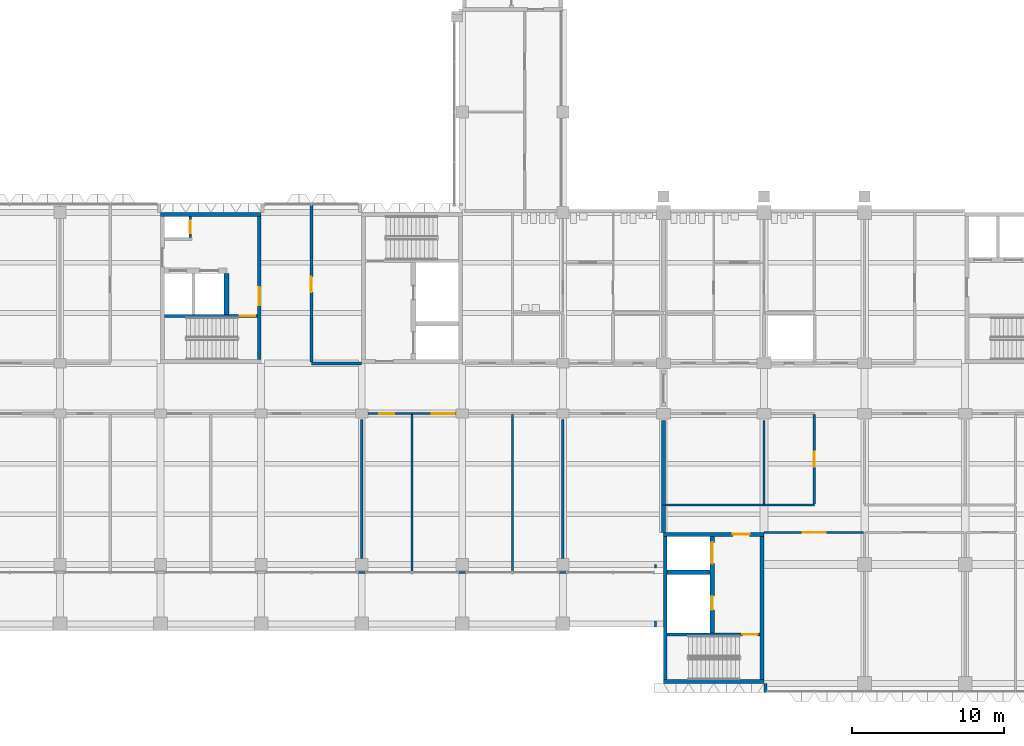
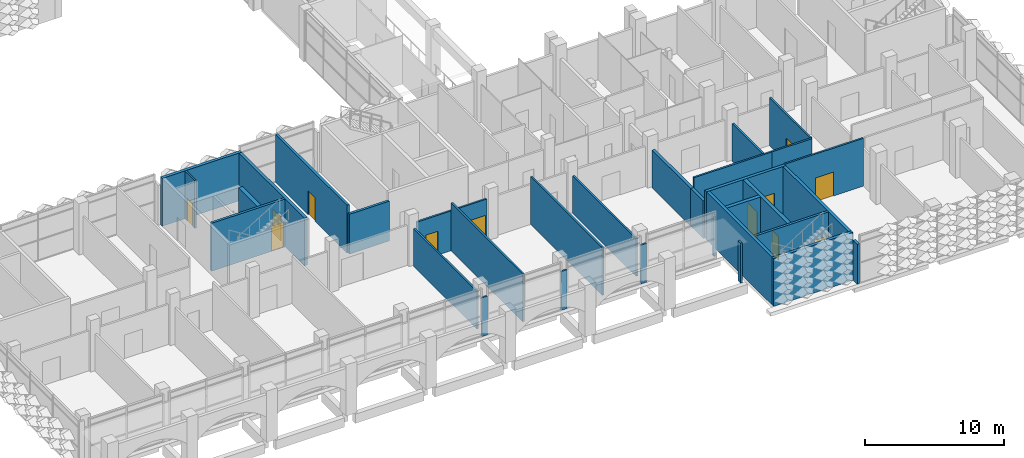
# One storey, part 27 of 87: 33 walls, 12 doors, 12 openings.
"""IFC4 building model written with IfcOpenShell, lengths in metres."""

from ifc_helpers import new_model, si_unit, direction, frame, frame_2d, origin, place, context, subcontext, project, spatial, rectangle, extrude, material, layer, layer_set, type_object, element, fill, save


model = new_model("IFC4")

# Units and contexts
model_context = context("Model", 3, precision=1e-05, world=origin(), true_north=direction((0.0, 1.0)))
body_context = subcontext(model_context, "Body", "Model", "MODEL_VIEW")
ifc_project = project(units=[si_unit("LENGTHUNIT", "METRE"), si_unit("AREAUNIT", "SQUARE_METRE"), si_unit("VOLUMEUNIT", "CUBIC_METRE"), si_unit("PLANEANGLEUNIT", "RADIAN"), si_unit("MASSUNIT", "GRAM", prefix="KILO")], contexts=[model_context])

# Site, building, storey
site_placement = place(None, origin())
site = spatial("IfcSite", under=ifc_project, at=site_placement, CompositionType="ELEMENT")
building_placement = place(site_placement, origin())
building = spatial("IfcBuilding", under=site, at=building_placement, Name="Lantern Court Research Institute", CompositionType="ELEMENT")
storey_placement = place(building_placement, frame((0.0, 0.0, 5.39990234375)))
storey = spatial("IfcBuildingStorey", under=building, at=storey_placement, Name="L01", CompositionType="ELEMENT", Elevation=5.39990234375)

# Wall
ifc_material_1 = material(Name="Fire-rated gypsum board partition, mineral wool filled")
ifc_layer_1 = layer(ifc_material_1, 0.199951171875)
ifc_layer_set_1 = layer_set([ifc_layer_1], Name="Fire-rated gypsum board partition, mineral wool filled")
wall_type_1 = type_object("IfcWallType", Name="Compartment wall 200 EI 120", PredefinedType="PARTITIONING", material=ifc_layer_set_1)
wall_1_placement = place(storey_placement, frame((33.0, 13.199951171875, 0.0), z_axis=(0.0, 0.0, 1.0), x_axis=(-1.0, 0.0, 0.0)))
element("IfcWall", 1, at=wall_1_placement, inside=storey, type_object=wall_type_1, Name="Compartment wall 200 EI 120", PredefinedType="PARTITIONING", context=body_context, shape_type="SweptSolid", body=[
    extrude(rectangle(XDim=3.300048828125, YDim=0.199951171875, at=frame_2d((1.64990234375, 0.0))), origin(), (0.0, 0.0, 1.0), 3.5),
])

# Wall, opening, door
wall_2_placement = place(storey_placement, frame((29.699951171875, 13.300048828125, 0.0), z_axis=(0.0, 0.0, 1.0), x_axis=(0.0, 1.0, 0.0)))
wall_2 = element("IfcWall", 2, at=wall_2_placement, inside=storey, type_object=wall_type_1, Name="Compartment wall 200 EI 120", PredefinedType="PARTITIONING", context=body_context, shape_type="SweptSolid", body=[
    extrude(rectangle(XDim=10.25, YDim=0.199951171875, at=frame_2d((5.125, 0.0))), origin(), (0.0, 0.0, 1.0), 4.2001953125),
])
opening_1_placement = place(wall_2_placement, frame((4.574951171875, 0.0, 0.0)))
opening_1 = element("IfcOpeningElement", 3, at=opening_1_placement, cuts=wall_2, Name="Opening D4104", PredefinedType="OPENING", context=body_context, shape_type="SweptSolid", body=[
    extrude(rectangle(XDim=1.0, YDim=2.10009765625, at=frame_2d((0.5, 1.050048828125))), frame((0.0, 0.10986328125, 0.0), z_axis=(0.0, -1.0, 0.0), x_axis=(1.0, 0.0, 0.0)), (0.0, 0.0, 1.0), 0.219970703125),
])
ifc_material_2 = material(Name="Solid-core timber door leaf", Category="wood")
ifc_layer_2 = layer(ifc_material_2, 0.06005859375)
ifc_layer_set_2 = layer_set([ifc_layer_2], Name="Solid-core timber door leaf")
door_type_1 = type_object("IfcDoorType", Name="Chemical store door 1000 x 2100 single FD60", OperationType="NOTDEFINED", PredefinedType="DOOR", material=ifc_layer_set_2)
door_1_placement = place(opening_1_placement, origin())
door_1 = element("IfcDoor", 4, at=door_1_placement, inside=storey, type_object=door_type_1, Name="Door D4104", OperationType="SINGLE_SWING_LEFT", OverallHeight=2.10009765625, OverallWidth=1.0, PredefinedType="DOOR", context=body_context, shape_type="SweptSolid", body=[
    extrude(rectangle(XDim=1.0, YDim=2.10009765625, at=frame_2d((0.5, 1.050048828125))), frame((0.0, 0.030029296875, 0.0), z_axis=(0.0, -1.0, 0.0), x_axis=(1.0, 0.0, 0.0)), (0.0, 0.0, 1.0), 0.06005859375),
])
fill(opening_1, door_1)

# Walls
ifc_material_3 = material(Name="Aluminium alloy 6063-T6", Category="aluminium")
ifc_layer_3 = layer(ifc_material_3, 0.14990234375)
ifc_layer_set_3 = layer_set([ifc_layer_3], Name="Aluminium alloy 6063-T6")
wall_type_2 = type_object("IfcWallType", Name="Entrance screen wall 150 aluminium", PredefinedType="STANDARD", material=ifc_layer_set_3)
wall_3_placement = place(storey_placement, frame((33.22509765625, -0.52490234375, 0.0), z_axis=(0.0, 0.0, 1.0), x_axis=(-1.0, 0.0, 0.0)))
element("IfcWall", 5, at=wall_3_placement, inside=storey, type_object=wall_type_2, Name="Exterior wall EW102", PredefinedType="STANDARD", context=body_context, shape_type="SweptSolid", body=[
    extrude(rectangle(XDim=0.4501953125, YDim=0.14990234375, at=frame_2d((0.22509765625, 0.0))), origin(), (0.0, 0.0, 1.0), 3.400146484375),
])
for number, where, z_axis, x_axis, name in (
    (6, (39.824951171875, -0.52490234375, 0.0), (0.0, 0.0, 1.0), (-1.0, 0.0, 0.0), "Exterior wall EW103"),
    (7, (46.425048828125, -0.52490234375, 0.0), (0.0, 0.0, 1.0), (-1.0, 0.0, 0.0), "Exterior wall EW104"),
):
    element("IfcWall", number, at=place(storey_placement, frame(where, z_axis=z_axis, x_axis=x_axis)), inside=storey, type_object=wall_type_2, Name=name, PredefinedType="STANDARD", context=body_context, shape_type="SweptSolid", body=[
        extrude(rectangle(XDim=0.449951171875, YDim=0.14990234375, at=frame_2d((0.22509765625, 0.0))), origin(), (0.0, 0.0, 1.0), 3.400146484375),
    ])
wall_4_placement = place(storey_placement, frame((52.27490234375, -4.10009765625, 0.0), z_axis=(0.0, 0.0, 1.0), x_axis=(0.0, 1.0, 0.0)))
element("IfcWall", 8, at=wall_4_placement, inside=storey, type_object=wall_type_2, Name="Exterior wall EW105", PredefinedType="STANDARD", context=body_context, shape_type="SweptSolid", body=[
    extrude(rectangle(XDim=0.400146484375, YDim=0.14990234375, at=frame_2d((0.2001953125, 0.0))), origin(), (0.0, 0.0, 1.0), 3.5),
])
wall_5_placement = place(storey_placement, frame((52.27490234375, -0.22509765625, 0.0), z_axis=(0.0, 0.0, 1.0), x_axis=(0.0, 1.0, 0.0)))
element("IfcWall", 9, at=wall_5_placement, inside=storey, type_object=wall_type_2, Name="Exterior wall EW106", PredefinedType="STANDARD", context=body_context, shape_type="SweptSolid", body=[
    extrude(rectangle(XDim=0.22509765625, YDim=0.14990234375, at=frame_2d((0.112548828125, 0.0))), origin(), (0.0, 0.0, 1.0), 3.5),
])

# Wall, opening, door
ifc_material_4 = material(Name="Fire-rated gypsum board partition, mineral wool filled")
ifc_layer_4 = layer(ifc_material_4, 0.14990234375)
ifc_layer_set_4 = layer_set([ifc_layer_4], Name="Fire-rated gypsum board partition, mineral wool filled")
wall_type_3 = type_object("IfcWallType", Name="Laboratory partition 150 EI 60", PredefinedType="PARTITIONING", material=ifc_layer_set_4)
wall_6_placement = place(storey_placement, frame((33.39990234375, 9.89990234375, 0.0), z_axis=(0.0, 0.0, 1.0), x_axis=(1.0, 0.0, 0.0)))
wall_6 = element("IfcWall", 10, at=wall_6_placement, inside=storey, type_object=wall_type_3, Name="Laboratory partition 150 EI 60", PredefinedType="PARTITIONING", context=body_context, shape_type="SweptSolid", body=[
    extrude(rectangle(XDim=2.900146484375, YDim=0.14990234375, at=frame_2d((1.4501953125, 0.0))), origin(), (0.0, 0.0, 1.0), 3.5),
])
opening_2_placement = place(wall_6_placement, frame((0.75, 0.0, 0.0)))
opening_2 = element("IfcOpeningElement", 11, at=opening_2_placement, cuts=wall_6, Name="Opening D4117", PredefinedType="OPENING", context=body_context, shape_type="SweptSolid", body=[
    extrude(rectangle(XDim=1.0, YDim=2.10009765625, at=frame_2d((0.5, 1.050048828125))), frame((0.0, 0.0849609375, 0.0), z_axis=(0.0, -1.0, 0.0), x_axis=(1.0, 0.0, 0.0)), (0.0, 0.0, 1.0), 0.169921875),
])
ifc_material_5 = material(Name="Solid-core timber door leaf with vision panel", Category="wood")
ifc_layer_5 = layer(ifc_material_5, 0.053955078125)
ifc_layer_set_5 = layer_set([ifc_layer_5], Name="Solid-core timber door leaf with vision panel")
door_type_2 = type_object("IfcDoorType", Name="Laboratory door 1000 x 2100 single FD30S", OperationType="NOTDEFINED", PredefinedType="DOOR", material=ifc_layer_set_5)
door_2_placement = place(opening_2_placement, origin())
door_2 = element("IfcDoor", 12, at=door_2_placement, inside=storey, type_object=door_type_2, Name="Door D4117", OperationType="SINGLE_SWING_LEFT", OverallHeight=2.10009765625, OverallWidth=1.0, PredefinedType="DOOR", context=body_context, shape_type="SweptSolid", body=[
    extrude(rectangle(XDim=1.0, YDim=2.10009765625, at=frame_2d((0.5, 1.050048828125))), frame((0.0, 0.02685546875, 0.0), z_axis=(0.0, -1.0, 0.0), x_axis=(1.0, 0.0, 0.0)), (0.0, 0.0, 1.0), 0.053955078125),
])
fill(opening_2, door_2)

wall_7_placement = place(storey_placement, frame((36.300048828125, 9.89990234375, 0.0), z_axis=(0.0, 0.0, 1.0), x_axis=(1.0, 0.0, 0.0)))
wall_7 = element("IfcWall", 13, at=wall_7_placement, inside=storey, type_object=wall_type_3, Name="Laboratory partition 150 EI 60", PredefinedType="PARTITIONING", context=body_context, shape_type="SweptSolid", body=[
    extrude(rectangle(XDim=2.89990234375, YDim=0.14990234375, at=frame_2d((1.449951171875, 0.0))), origin(), (0.0, 0.0, 1.0), 3.5),
])
opening_3_placement = place(wall_7_placement, frame((1.300048828125, 0.0, 0.0)))
opening_3 = element("IfcOpeningElement", 14, at=opening_3_placement, cuts=wall_7, Name="Opening D4118", PredefinedType="OPENING", context=body_context, shape_type="SweptSolid", body=[
    extrude(rectangle(XDim=1.5, YDim=2.10009765625, at=frame_2d((0.75, 1.050048828125))), frame((0.0, 0.0849609375, 0.0), z_axis=(0.0, -1.0, 0.0), x_axis=(1.0, 0.0, 0.0)), (0.0, 0.0, 1.0), 0.169921875),
])
ifc_material_6 = material(Name="Solid-core timber door leaf with vision panel", Category="wood")
ifc_layer_6 = layer(ifc_material_6, 0.053955078125)
ifc_layer_set_6 = layer_set([ifc_layer_6], Name="Solid-core timber door leaf with vision panel")
door_type_3 = type_object("IfcDoorType", Name="Laboratory double door 1500 x 2100 pair FD30S", OperationType="DOUBLE_DOOR_SINGLE_SWING", PredefinedType="DOOR", material=ifc_layer_set_6)
door_3_placement = place(opening_3_placement, origin())
door_3 = element("IfcDoor", 15, at=door_3_placement, inside=storey, type_object=door_type_3, Name="Door D4118", OperationType="DOUBLE_DOOR_SINGLE_SWING", OverallHeight=2.10009765625, OverallWidth=1.5, PredefinedType="DOOR", context=body_context, shape_type="SweptSolid", body=[
    extrude(rectangle(XDim=1.5, YDim=2.10009765625, at=frame_2d((0.75, 1.050048828125))), frame((0.0, 0.02685546875, 0.0), z_axis=(0.0, -1.0, 0.0), x_axis=(1.0, 0.0, 0.0)), (0.0, 0.0, 1.0), 0.053955078125),
])
fill(opening_3, door_3)

# Walls
wall_8_placement = place(storey_placement, frame((33.0, 0.39990234375, 0.0), z_axis=(0.0, 0.0, 1.0), x_axis=(0.0, 1.0, 0.0)))
element("IfcWall", 16, at=wall_8_placement, inside=storey, type_object=wall_type_3, Name="Laboratory partition 150 EI 60", PredefinedType="PARTITIONING", context=body_context, shape_type="SweptSolid", body=[
    extrude(rectangle(XDim=9.10009765625, YDim=0.14990234375, at=frame_2d((4.550048828125, 0.0))), origin(), (0.0, 0.0, 1.0), 3.300048828125),
])
for number, where, z_axis, x_axis, name in (
    (17, (36.300048828125, -0.449951171875, 0.0), (0.0, 0.0, 1.0), (0.0, 1.0, 0.0), "Laboratory partition 150 EI 60"),
    (18, (42.89990234375, -0.449951171875, 0.0), (0.0, 0.0, 1.0), (0.0, 1.0, 0.0), "Laboratory partition 150 EI 60"),
):
    element("IfcWall", number, at=place(storey_placement, frame(where, z_axis=z_axis, x_axis=x_axis)), inside=storey, type_object=wall_type_3, Name=name, PredefinedType="PARTITIONING", context=body_context, shape_type="SweptSolid", body=[
        extrude(rectangle(XDim=10.27490234375, YDim=0.14990234375, at=frame_2d((5.137451171875, 0.0))), origin(), (0.0, 0.0, 1.0), 4.2001953125),
    ])
wall_9_placement = place(storey_placement, frame((46.199951171875, 0.39990234375, 0.0), z_axis=(0.0, 0.0, 1.0), x_axis=(0.0, 1.0, 0.0)))
element("IfcWall", 19, at=wall_9_placement, inside=storey, type_object=wall_type_3, Name="Laboratory partition 150 EI 60", PredefinedType="PARTITIONING", context=body_context, shape_type="SweptSolid", body=[
    extrude(rectangle(XDim=9.10009765625, YDim=0.14990234375, at=frame_2d((4.550048828125, 0.0))), origin(), (0.0, 0.0, 1.0), 3.300048828125),
])

# Wall, opening, door
wall_10_placement = place(storey_placement, frame((65.925048828125, 2.10009765625, 0.0), z_axis=(0.0, 0.0, 1.0), x_axis=(-1.0, 0.0, 0.0)))
wall_10 = element("IfcWall", 20, at=wall_10_placement, inside=storey, type_object=wall_type_3, Name="Laboratory partition 150 EI 60", PredefinedType="PARTITIONING", context=body_context, shape_type="SweptSolid", body=[
    extrude(rectangle(XDim=6.52490234375, YDim=0.14990234375, at=frame_2d((3.262451171875, 0.0))), origin(), (0.0, 0.0, 1.0), 4.2001953125),
])
opening_4_placement = place(wall_10_placement, frame((2.47509765625, 0.0, 0.0)))
opening_4 = element("IfcOpeningElement", 21, at=opening_4_placement, cuts=wall_10, Name="Opening D5109", PredefinedType="OPENING", context=body_context, shape_type="SweptSolid", body=[
    extrude(rectangle(XDim=1.5, YDim=2.10009765625, at=frame_2d((0.75, 1.050048828125))), frame((0.0, 0.0849609375, 0.0), z_axis=(0.0, -1.0, 0.0), x_axis=(1.0, 0.0, 0.0)), (0.0, 0.0, 1.0), 0.169921875),
])
door_4_placement = place(opening_4_placement, origin())
door_4 = element("IfcDoor", 22, at=door_4_placement, inside=storey, type_object=door_type_3, Name="Door D5109", OperationType="DOUBLE_DOOR_SINGLE_SWING", OverallHeight=2.10009765625, OverallWidth=1.5, PredefinedType="DOOR", context=body_context, shape_type="SweptSolid", body=[
    extrude(rectangle(XDim=1.5, YDim=2.10009765625, at=frame_2d((0.75, 1.050048828125))), frame((0.0, 0.02685546875, 0.0), z_axis=(0.0, -1.0, 0.0), x_axis=(1.0, 0.0, 0.0)), (0.0, 0.0, 1.0), 0.053955078125),
])
fill(opening_4, door_4)

# Walls
wall_11_placement = place(storey_placement, frame((59.39990234375, 3.89990234375, 0.0), z_axis=(0.0, 0.0, 1.0), x_axis=(-1.0, 0.0, 0.0)))
element("IfcWall", 23, at=wall_11_placement, inside=storey, type_object=wall_type_3, Name="Laboratory partition 150 EI 60", PredefinedType="PARTITIONING", context=body_context, shape_type="SweptSolid", body=[
    extrude(rectangle(XDim=6.474853515625, YDim=0.14990234375, at=frame_2d((3.2373046875, 0.0))), origin(), (0.0, 0.0, 1.0), 4.2001953125),
])
wall_12_placement = place(storey_placement, frame((62.699951171875, 3.89990234375, 0.0), z_axis=(0.0, 0.0, 1.0), x_axis=(-1.0, 0.0, 0.0)))
element("IfcWall", 24, at=wall_12_placement, inside=storey, type_object=wall_type_3, Name="Laboratory partition 150 EI 60", PredefinedType="PARTITIONING", context=body_context, shape_type="SweptSolid", body=[
    extrude(rectangle(XDim=3.300048828125, YDim=0.14990234375, at=frame_2d((1.64990234375, 0.0))), origin(), (0.0, 0.0, 1.0), 4.2001953125),
])
wall_13_placement = place(storey_placement, frame((59.39990234375, 3.97509765625, 0.0), z_axis=(0.0, 0.0, 1.0), x_axis=(0.0, 1.0, 0.0)))
element("IfcWall", 25, at=wall_13_placement, inside=storey, type_object=wall_type_3, Name="Laboratory partition 150 EI 60", PredefinedType="PARTITIONING", context=body_context, shape_type="SweptSolid", body=[
    extrude(rectangle(XDim=5.474853515625, YDim=0.14990234375, at=frame_2d((2.7373046875, 0.0))), origin(), (0.0, 0.0, 1.0), 3.300048828125),
])

# Wall, opening, door
wall_14_placement = place(storey_placement, frame((62.699951171875, 9.824951171875, 0.0), z_axis=(0.0, 0.0, 1.0), x_axis=(0.0, -1.0, 0.0)))
wall_14 = element("IfcWall", 26, at=wall_14_placement, inside=storey, type_object=wall_type_3, Name="Laboratory partition 150 EI 60", PredefinedType="PARTITIONING", context=body_context, shape_type="SweptSolid", body=[
    extrude(rectangle(XDim=5.849853515625, YDim=0.14990234375, at=frame_2d((2.9248046875, 0.0))), origin(), (0.0, 0.0, 1.0), 4.2001953125),
])
opening_5_placement = place(wall_14_placement, frame((2.425048828125, 0.0, 0.0)))
opening_5 = element("IfcOpeningElement", 27, at=opening_5_placement, cuts=wall_14, Name="Opening D5113", PredefinedType="OPENING", context=body_context, shape_type="SweptSolid", body=[
    extrude(rectangle(XDim=1.0, YDim=2.10009765625, at=frame_2d((0.5, 1.050048828125))), frame((0.0, 0.0849609375, 0.0), z_axis=(0.0, -1.0, 0.0), x_axis=(1.0, 0.0, 0.0)), (0.0, 0.0, 1.0), 0.169921875),
])
door_5_placement = place(opening_5_placement, origin())
door_5 = element("IfcDoor", 28, at=door_5_placement, inside=storey, type_object=door_type_2, Name="Door D5113", OperationType="SINGLE_SWING_RIGHT", OverallHeight=2.10009765625, OverallWidth=1.0, PredefinedType="DOOR", context=body_context, shape_type="SweptSolid", body=[
    extrude(rectangle(XDim=1.0, YDim=2.10009765625, at=frame_2d((0.5, 1.050048828125))), frame((0.0, 0.02685546875, 0.0), z_axis=(0.0, -1.0, 0.0), x_axis=(1.0, 0.0, 0.0)), (0.0, 0.0, 1.0), 0.053955078125),
])
fill(opening_5, door_5)

# Walls
ifc_material_7 = material(Name="Fire-rated gypsum board partition, double stud, mineral wool filled")
ifc_layer_7 = layer(ifc_material_7, 0.25)
ifc_layer_set_7 = layer_set([ifc_layer_7], Name="Fire-rated gypsum board partition, double stud, mineral wool filled")
wall_type_4 = type_object("IfcWallType", Name="Plant compartment wall 250 EI 120", PredefinedType="PARTITIONING", material=ifc_layer_set_7)
wall_15_placement = place(storey_placement, frame((52.800048828125, 2.10009765625, 0.0), z_axis=(0.0, 0.0, 1.0), x_axis=(0.0, 1.0, 0.0)))
element("IfcWall", 29, at=wall_15_placement, inside=storey, type_object=wall_type_4, Name="Plant compartment wall 250 EI 120", PredefinedType="PARTITIONING", context=body_context, shape_type="SweptSolid", body=[
    extrude(rectangle(XDim=1.7998046875, YDim=0.25, at=frame_2d((0.89990234375, 0.0))), origin(), (0.0, 0.0, 1.0), 3.300048828125),
])
wall_16_placement = place(storey_placement, frame((52.800048828125, 3.89990234375, 0.0), z_axis=(0.0, 0.0, 1.0), x_axis=(0.0, 1.0, 0.0)))
element("IfcWall", 30, at=wall_16_placement, inside=storey, type_object=wall_type_4, Name="Plant compartment wall 250 EI 120", PredefinedType="PARTITIONING", context=body_context, shape_type="SweptSolid", body=[
    extrude(rectangle(XDim=5.550048828125, YDim=0.25, at=frame_2d((2.77490234375, 0.0))), origin(), (0.0, 0.0, 1.0), 3.300048828125),
])

# Wall, opening, door
ifc_material_8 = material(Name="Concrete C40/50", Category="concrete")
ifc_layer_8 = layer(ifc_material_8, 0.25)
ifc_layer_set_8 = layer_set([ifc_layer_8], Name="Concrete C40/50")
wall_type_5 = type_object("IfcWallType", Name="RC core wall 250", PredefinedType="SHEAR", material=ifc_layer_set_8)
wall_17_placement = place(storey_placement, frame((26.27490234375, 13.449951171875, 0.0), z_axis=(0.0, 0.0, 1.0), x_axis=(0.0, 1.0, 0.0)))
wall_17 = element("IfcWall", 31, at=wall_17_placement, inside=storey, type_object=wall_type_5, Name="East wall of core BC-M", PredefinedType="SHEAR", context=body_context, shape_type="SweptSolid", body=[
    extrude(rectangle(XDim=9.400146484375, YDim=0.25, at=frame_2d((4.7001953125, 0.0))), origin(), (0.0, 0.0, 1.0), 4.2001953125),
])
opening_6_placement = place(wall_17_placement, frame((3.550048828125, 0.0, 0.0)))
opening_6 = element("IfcOpeningElement", 32, at=opening_6_placement, cuts=wall_17, Name="Opening D7036", PredefinedType="OPENING", context=body_context, shape_type="SweptSolid", body=[
    extrude(rectangle(XDim=1.199951171875, YDim=2.10009765625, at=frame_2d((0.60009765625, 1.050048828125))), frame((0.0, 0.135009765625, 0.0), z_axis=(0.0, -1.0, 0.0), x_axis=(1.0, 0.0, 0.0)), (0.0, 0.0, 1.0), 0.27001953125),
])
ifc_material_9 = material(Name="Steel fire door leaf with smoke seals", Category="steel")
door_type_4 = type_object("IfcDoorType", Name="Door 1200 x 2100 fire rated FD60S", OperationType="NOTDEFINED", PredefinedType="DOOR", material=ifc_material_9)
door_6_placement = place(opening_6_placement, origin())
door_6 = element("IfcDoor", 33, at=door_6_placement, inside=storey, type_object=door_type_4, Name="Lobby door", OperationType="SINGLE_SWING_RIGHT", OverallHeight=2.10009765625, OverallWidth=1.199951171875, PredefinedType="DOOR", context=body_context, shape_type="SweptSolid", body=[
    extrude(rectangle(XDim=1.199951171875, YDim=2.10009765625, at=frame_2d((0.60009765625, 1.050048828125))), frame((0.0, 0.02490234375, 0.0), z_axis=(0.0, -1.0, 0.0), x_axis=(1.0, 0.0, 0.0)), (0.0, 0.0, 1.0), 0.050048828125),
])
fill(opening_6, door_6)

wall_18_placement = place(storey_placement, frame((59.39990234375, 1.97509765625, 0.0), z_axis=(0.0, 0.0, 1.0), x_axis=(-1.0, 0.0, 0.0)))
wall_18 = element("IfcWall", 34, at=wall_18_placement, inside=storey, type_object=wall_type_5, Name="North wall of core TC-W", PredefinedType="SHEAR", context=body_context, shape_type="SweptSolid", body=[
    extrude(rectangle(XDim=6.599853515625, YDim=0.25, at=frame_2d((3.2998046875, 0.0))), origin(), (0.0, 0.0, 1.0), 4.2001953125),
])
opening_7_placement = place(wall_18_placement, frame((0.949951171875, 0.0, 0.0)))
opening_7 = element("IfcOpeningElement", 35, at=opening_7_placement, cuts=wall_18, Name="Opening D7105", PredefinedType="OPENING", context=body_context, shape_type="SweptSolid", body=[
    extrude(rectangle(XDim=1.10009765625, YDim=2.10009765625, at=frame_2d((0.550048828125, 1.050048828125))), frame((0.0, 0.135009765625, 0.0), z_axis=(0.0, -1.0, 0.0), x_axis=(1.0, 0.0, 0.0)), (0.0, 0.0, 1.0), 0.27001953125),
])
ifc_material_10 = material(Name="Steel fire door leaf with smoke seals", Category="steel")
door_type_5 = type_object("IfcDoorType", Name="Door 1100 x 2100 fire rated FD60S", OperationType="NOTDEFINED", PredefinedType="DOOR", material=ifc_material_10)
door_7_placement = place(opening_7_placement, origin())
door_7 = element("IfcDoor", 36, at=door_7_placement, inside=storey, type_object=door_type_5, Name="Lobby door", OperationType="SINGLE_SWING_RIGHT", OverallHeight=2.10009765625, OverallWidth=1.10009765625, PredefinedType="DOOR", context=body_context, shape_type="SweptSolid", body=[
    extrude(rectangle(XDim=1.10009765625, YDim=2.10009765625, at=frame_2d((0.550048828125, 1.050048828125))), frame((0.0, 0.02490234375, 0.0), z_axis=(0.0, -1.0, 0.0), x_axis=(1.0, 0.0, 0.0)), (0.0, 0.0, 1.0), 0.050048828125),
])
fill(opening_7, door_7)

# Walls
wall_19_placement = place(storey_placement, frame((59.27490234375, 1.85009765625, 0.0), z_axis=(0.0, 0.0, 1.0), x_axis=(0.0, -1.0, 0.0)))
element("IfcWall", 37, at=wall_19_placement, inside=storey, type_object=wall_type_5, Name="East wall of core TC-W", PredefinedType="SHEAR", context=body_context, shape_type="SweptSolid", body=[
    extrude(rectangle(XDim=9.400146484375, YDim=0.25, at=frame_2d((4.7001953125, 0.0))), origin(), (0.0, 0.0, 1.0), 4.2001953125),
])
ifc_material_11 = material(Name="Concrete C40/50", Category="concrete")
ifc_layer_9 = layer(ifc_material_11, 0.25)
ifc_layer_set_9 = layer_set([ifc_layer_9], Name="Concrete C40/50")
wall_type_6 = type_object("IfcWallType", Name="RC core wall 250 facade", PredefinedType="SHEAR", material=ifc_layer_set_9)
for number, where, z_axis, x_axis, name in (
    (38, (19.800048828125, 22.97509765625, 0.0), (0.0, 0.0, 1.0), (1.0, 0.0, 0.0), "North wall of core BC-M"),
    (39, (59.39990234375, -7.675048828125, 0.0), (0.0, 0.0, 1.0), (-1.0, 0.0, 0.0), "South wall of core TC-W"),
):
    element("IfcWall", number, at=place(storey_placement, frame(where, z_axis=z_axis, x_axis=x_axis)), inside=storey, type_object=wall_type_6, Name=name, PredefinedType="SHEAR", context=body_context, shape_type="SweptSolid", body=[
        extrude(rectangle(XDim=6.599853515625, YDim=0.25, at=frame_2d((3.2998046875, 0.0))), origin(), (0.0, 0.0, 1.0), 4.2001953125),
    ])
wall_20_placement = place(storey_placement, frame((52.925048828125, 1.85009765625, 0.0), z_axis=(0.0, 0.0, 1.0), x_axis=(0.0, -1.0, 0.0)))
element("IfcWall", 40, at=wall_20_placement, inside=storey, type_object=wall_type_6, Name="West wall of core TC-W", PredefinedType="SHEAR", context=body_context, shape_type="SweptSolid", body=[
    extrude(rectangle(XDim=9.400146484375, YDim=0.25, at=frame_2d((4.7001953125, 0.0))), origin(), (0.0, 0.0, 1.0), 4.2001953125),
])

# Wall, opening, door
ifc_material_12 = material(Name="Concrete C40/50", Category="concrete")
ifc_layer_10 = layer(ifc_material_12, 0.14990234375)
ifc_layer_set_10 = layer_set([ifc_layer_10], Name="Concrete C40/50")
wall_type_7 = type_object("IfcWallType", Name="RC shaft wall 150", PredefinedType="SHEAR", material=ifc_layer_set_10)
wall_21_placement = place(storey_placement, frame((21.75, 21.449951171875, 0.0), z_axis=(0.0, 0.0, 1.0), x_axis=(0.0, 1.0, 0.0)))
wall_21 = element("IfcWall", 41, at=wall_21_placement, inside=storey, type_object=wall_type_7, Name="Riser wall of core BC-M", PredefinedType="SHEAR", context=body_context, shape_type="SweptSolid", body=[
    extrude(rectangle(XDim=1.400146484375, YDim=0.14990234375, at=frame_2d((0.7001953125, 0.0))), origin(), (0.0, 0.0, 1.0), 4.2001953125),
])
opening_8_placement = place(wall_21_placement, frame((0.300048828125, 0.0, 0.0)))
opening_8 = element("IfcOpeningElement", 42, at=opening_8_placement, cuts=wall_21, Name="Opening D7039", PredefinedType="OPENING", context=body_context, shape_type="SweptSolid", body=[
    extrude(rectangle(XDim=0.800048828125, YDim=2.0, at=frame_2d((0.39990234375, 1.0))), frame((0.0, 0.0849609375, 0.0), z_axis=(0.0, -1.0, 0.0), x_axis=(1.0, 0.0, 0.0)), (0.0, 0.0, 1.0), 0.169921875),
])
ifc_material_13 = material(Name="Steel fire door leaf", Category="steel")
door_type_6 = type_object("IfcDoorType", Name="Door 800 x 2000 fire rated FD60", OperationType="NOTDEFINED", PredefinedType="DOOR", material=ifc_material_13)
door_8_placement = place(opening_8_placement, origin())
door_8 = element("IfcDoor", 43, at=door_8_placement, inside=storey, type_object=door_type_6, Name="Riser door", OperationType="SINGLE_SWING_LEFT", OverallHeight=2.0, OverallWidth=0.800048828125, PredefinedType="DOOR", context=body_context, shape_type="SweptSolid", body=[
    extrude(rectangle(XDim=0.800048828125, YDim=2.0, at=frame_2d((0.39990234375, 1.0))), frame((0.0, 0.02490234375, 0.0), z_axis=(0.0, -1.0, 0.0), x_axis=(1.0, 0.0, 0.0)), (0.0, 0.0, 1.0), 0.050048828125),
])
fill(opening_8, door_8)

ifc_material_14 = material(Name="Concrete C40/50", Category="concrete")
ifc_layer_11 = layer(ifc_material_14, 0.199951171875)
ifc_layer_set_11 = layer_set([ifc_layer_11], Name="Concrete C40/50")
wall_type_8 = type_object("IfcWallType", Name="RC shaft wall 200", PredefinedType="SHEAR", material=ifc_layer_set_11)
wall_22_placement = place(storey_placement, frame((20.050048828125, 16.300048828125, 0.0), z_axis=(0.0, 0.0, 1.0), x_axis=(1.0, 0.0, 0.0)))
wall_22 = element("IfcWall", 44, at=wall_22_placement, inside=storey, type_object=wall_type_8, Name="Stair wall of core BC-M", PredefinedType="SHEAR", context=body_context, shape_type="SweptSolid", body=[
    extrude(rectangle(XDim=6.099853515625, YDim=0.199951171875, at=frame_2d((3.0498046875, 0.0))), origin(), (0.0, 0.0, 1.0), 4.2001953125),
])
opening_9_placement = place(wall_22_placement, frame((4.949951171875, 0.0, 0.0)))
opening_9 = element("IfcOpeningElement", 45, at=opening_9_placement, cuts=wall_22, Name="Opening D7038", PredefinedType="OPENING", context=body_context, shape_type="SweptSolid", body=[
    extrude(rectangle(XDim=1.0, YDim=2.199951171875, at=frame_2d((0.5, 1.10009765625))), frame((0.0, 0.10986328125, 0.0), z_axis=(0.0, -1.0, 0.0), x_axis=(1.0, 0.0, 0.0)), (0.0, 0.0, 1.0), 0.219970703125),
])
ifc_material_15 = material(Name="Steel fire door leaf with smoke seals", Category="steel")
door_type_7 = type_object("IfcDoorType", Name="Door 1000 x 2200 fire rated FD60S", OperationType="NOTDEFINED", PredefinedType="DOOR", material=ifc_material_15)
door_9_placement = place(opening_9_placement, origin())
door_9 = element("IfcDoor", 46, at=door_9_placement, inside=storey, type_object=door_type_7, Name="Stair door", OperationType="SINGLE_SWING_RIGHT", OverallHeight=2.199951171875, OverallWidth=1.0, PredefinedType="DOOR", context=body_context, shape_type="SweptSolid", body=[
    extrude(rectangle(XDim=1.0, YDim=2.199951171875, at=frame_2d((0.5, 1.10009765625))), frame((0.0, 0.02490234375, 0.0), z_axis=(0.0, -1.0, 0.0), x_axis=(1.0, 0.0, 0.0)), (0.0, 0.0, 1.0), 0.050048828125),
])
fill(opening_9, door_9)

wall_23_placement = place(storey_placement, frame((59.14990234375, -4.60009765625, 0.0), z_axis=(0.0, 0.0, 1.0), x_axis=(-1.0, 0.0, 0.0)))
wall_23 = element("IfcWall", 47, at=wall_23_placement, inside=storey, type_object=wall_type_8, Name="Stair wall of core TC-W", PredefinedType="SHEAR", context=body_context, shape_type="SweptSolid", body=[
    extrude(rectangle(XDim=6.099853515625, YDim=0.199951171875, at=frame_2d((3.0498046875, 0.0))), origin(), (0.0, 0.0, 1.0), 4.2001953125),
])
opening_10_placement = place(wall_23_placement, frame((0.175048828125, 0.0, 0.0)))
opening_10 = element("IfcOpeningElement", 48, at=opening_10_placement, cuts=wall_23, Name="Opening D7106", PredefinedType="OPENING", context=body_context, shape_type="SweptSolid", body=[
    extrude(rectangle(XDim=1.0, YDim=2.10009765625, at=frame_2d((0.5, 1.050048828125))), frame((0.0, 0.10986328125, 0.0), z_axis=(0.0, -1.0, 0.0), x_axis=(1.0, 0.0, 0.0)), (0.0, 0.0, 1.0), 0.219970703125),
])
ifc_material_16 = material(Name="Steel fire door leaf with smoke seals", Category="steel")
door_type_8 = type_object("IfcDoorType", Name="Door 1000 x 2100 fire rated FD60S", OperationType="NOTDEFINED", PredefinedType="DOOR", material=ifc_material_16)
door_10_placement = place(opening_10_placement, origin())
door_10 = element("IfcDoor", 49, at=door_10_placement, inside=storey, type_object=door_type_8, Name="Stair door", OperationType="SINGLE_SWING_RIGHT", OverallHeight=2.10009765625, OverallWidth=1.0, PredefinedType="DOOR", context=body_context, shape_type="SweptSolid", body=[
    extrude(rectangle(XDim=1.0, YDim=2.10009765625, at=frame_2d((0.5, 1.050048828125))), frame((0.0, 0.02490234375, 0.0), z_axis=(0.0, -1.0, 0.0), x_axis=(1.0, 0.0, 0.0)), (0.0, 0.0, 1.0), 0.050048828125),
])
fill(opening_10, door_10)

# Wall, openings, doors
ifc_material_17 = material(Name="Concrete C40/50", Category="concrete")
ifc_layer_12 = layer(ifc_material_17, 0.300048828125)
ifc_layer_set_12 = layer_set([ifc_layer_12], Name="Concrete C40/50")
wall_type_9 = type_object("IfcWallType", Name="RC shaft wall 300", PredefinedType="SHEAR", material=ifc_layer_set_12)
wall_24_placement = place(storey_placement, frame((56.0, 1.85009765625, 0.0), z_axis=(0.0, 0.0, 1.0), x_axis=(0.0, -1.0, 0.0)))
wall_24 = element("IfcWall", 50, at=wall_24_placement, inside=storey, type_object=wall_type_9, Name="Lift shaft wall of core TC-W", PredefinedType="SHEAR", context=body_context, shape_type="SweptSolid", body=[
    extrude(rectangle(XDim=6.35009765625, YDim=0.300048828125, at=frame_2d((3.175048828125, 0.0))), origin(), (0.0, 0.0, 1.0), 4.2001953125),
])
opening_11_placement = place(wall_24_placement, frame((3.925048828125, 0.0, 0.0)))
opening_11 = element("IfcOpeningElement", 51, at=opening_11_placement, cuts=wall_24, Name="Opening D7104", PredefinedType="OPENING", context=body_context, shape_type="SweptSolid", body=[
    extrude(rectangle(XDim=0.89990234375, YDim=2.10009765625, at=frame_2d((0.449951171875, 1.050048828125))), frame((0.0, 0.159912109375, 0.0), z_axis=(0.0, -1.0, 0.0), x_axis=(1.0, 0.0, 0.0)), (0.0, 0.0, 1.0), 0.320068359375),
])
opening_12_placement = place(wall_24_placement, frame((0.39990234375, 0.0, 0.0)))
opening_12 = element("IfcOpeningElement", 52, at=opening_12_placement, cuts=wall_24, Name="Opening D7107", PredefinedType="OPENING", context=body_context, shape_type="SweptSolid", body=[
    extrude(rectangle(XDim=1.39990234375, YDim=2.39990234375, at=frame_2d((0.699951171875, 1.199951171875))), frame((0.0, 0.159912109375, 0.0), z_axis=(0.0, -1.0, 0.0), x_axis=(1.0, 0.0, 0.0)), (0.0, 0.0, 1.0), 0.320068359375),
])
ifc_material_18 = material(Name="Steel fire door leaf", Category="steel")
door_type_9 = type_object("IfcDoorType", Name="Door 900 x 2100 fire rated FD60", OperationType="NOTDEFINED", PredefinedType="DOOR", material=ifc_material_18)
door_11_placement = place(opening_11_placement, origin())
door_11 = element("IfcDoor", 53, at=door_11_placement, inside=storey, type_object=door_type_9, Name="Riser door", OperationType="SINGLE_SWING_RIGHT", OverallHeight=2.10009765625, OverallWidth=0.89990234375, PredefinedType="DOOR", context=body_context, shape_type="SweptSolid", body=[
    extrude(rectangle(XDim=0.89990234375, YDim=2.10009765625, at=frame_2d((0.449951171875, 1.050048828125))), frame((0.0, 0.02490234375, 0.0), z_axis=(0.0, -1.0, 0.0), x_axis=(1.0, 0.0, 0.0)), (0.0, 0.0, 1.0), 0.050048828125),
])
fill(opening_11, door_11)
ifc_material_19 = material(Name="Stainless steel landing door panels", Category="steel")
door_type_10 = type_object("IfcDoorType", Name="Lift landing door 1400 x 2400 sliding FD60", OperationType="DOUBLE_DOOR_SLIDING", PredefinedType="NOTDEFINED", material=ifc_material_19)
door_12_placement = place(opening_12_placement, origin())
door_12 = element("IfcDoor", 54, at=door_12_placement, inside=storey, type_object=door_type_10, Name="Landing door", OperationType="DOUBLE_DOOR_SLIDING", OverallHeight=2.39990234375, OverallWidth=1.39990234375, PredefinedType="NOTDEFINED", context=body_context, shape_type="SweptSolid", body=[
    extrude(rectangle(XDim=1.39990234375, YDim=2.39990234375, at=frame_2d((0.699951171875, 1.199951171875))), frame((0.0, 0.02490234375, 0.0), z_axis=(0.0, -1.0, 0.0), x_axis=(1.0, 0.0, 0.0)), (0.0, 0.0, 1.0), 0.050048828125),
])
fill(opening_12, door_12)

# Walls
wall_25_placement = place(storey_placement, frame((55.85009765625, -0.5, 0.0), z_axis=(0.0, 0.0, 1.0), x_axis=(-1.0, 0.0, 0.0)))
element("IfcWall", 55, at=wall_25_placement, inside=storey, type_object=wall_type_9, Name="Lift shaft wall of core TC-W", PredefinedType="SHEAR", context=body_context, shape_type="SweptSolid", body=[
    extrude(rectangle(XDim=2.800048828125, YDim=0.300048828125, at=frame_2d((1.39990234375, 0.0))), origin(), (0.0, 0.0, 1.0), 4.2001953125),
])
ifc_material_20 = material(Name="Concrete C40/50", Category="concrete")
ifc_layer_13 = layer(ifc_material_20, 0.35009765625)
ifc_layer_set_13 = layer_set([ifc_layer_13], Name="Concrete C40/50")
wall_type_10 = type_object("IfcWallType", Name="RC shaft wall 350", PredefinedType="SHEAR", material=ifc_layer_set_13)
wall_26_placement = place(storey_placement, frame((24.125, 16.39990234375, 0.0), z_axis=(0.0, 0.0, 1.0), x_axis=(0.0, 1.0, 0.0)))
element("IfcWall", 56, at=wall_26_placement, inside=storey, type_object=wall_type_10, Name="Lift shaft wall of core BC-M", PredefinedType="SHEAR", context=body_context, shape_type="SweptSolid", body=[
    extrude(rectangle(XDim=2.7001953125, YDim=0.35009765625, at=frame_2d((1.35009765625, 0.0))), origin(), (0.0, 0.0, 1.0), 4.2001953125),
])
ifc_material_21 = material(Name="Concrete C40/50", Category="concrete")
ifc_layer_14 = layer(ifc_material_21, 0.199951171875)
ifc_layer_set_14 = layer_set([ifc_layer_14], Name="Concrete C40/50")
wall_type_11 = type_object("IfcWallType", Name="Return wall 200 concrete EI 120 aluminium faced", PredefinedType="STANDARD", material=ifc_layer_set_14)
wall_27_placement = place(storey_placement, frame((59.5, -7.800048828125, 0.0), z_axis=(0.0, 0.0, 1.0), x_axis=(0.0, -1.0, 0.0)))
element("IfcWall", 57, at=wall_27_placement, inside=storey, type_object=wall_type_11, Name="Core return wall 20", PredefinedType="STANDARD", context=body_context, shape_type="SweptSolid", body=[
    extrude(rectangle(XDim=0.599853515625, YDim=0.199951171875, at=frame_2d((0.2998046875, 0.0))), origin(), (0.0, 0.0, 1.0), 3.5),
])

save(model, "model.ifc")
